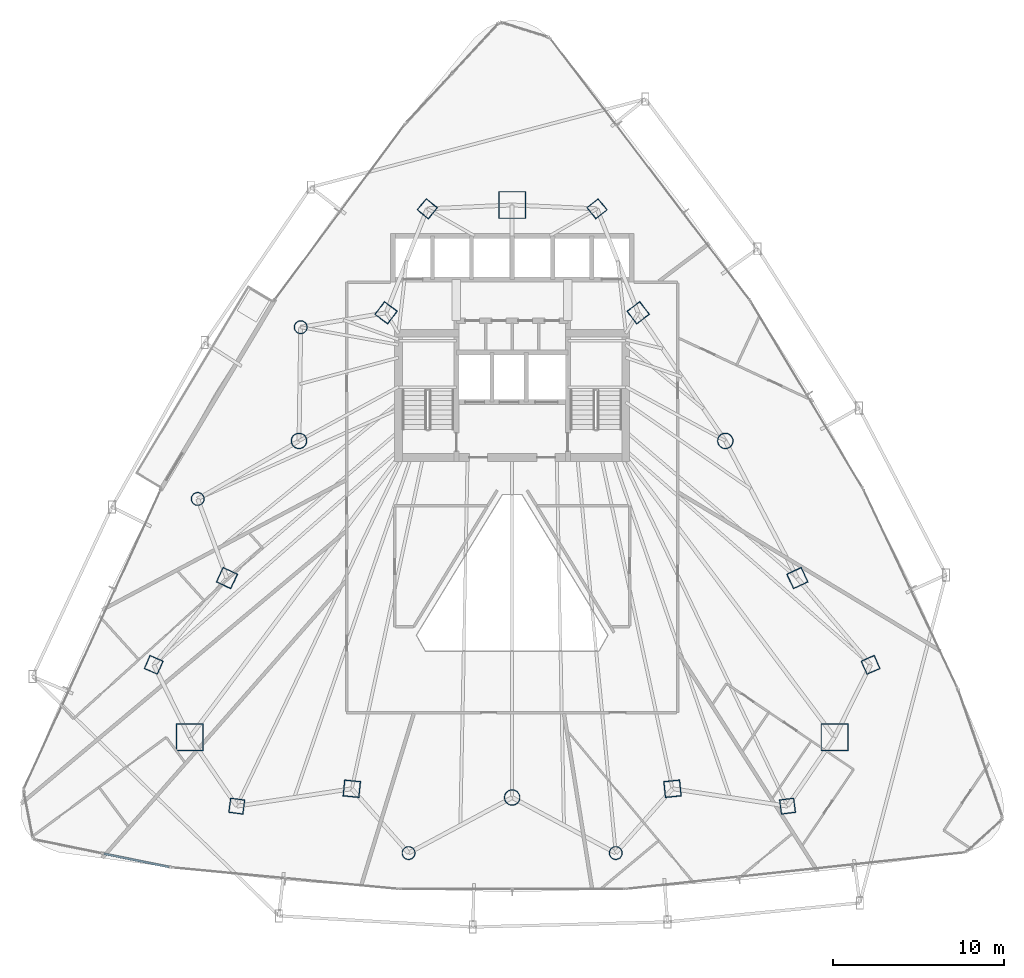
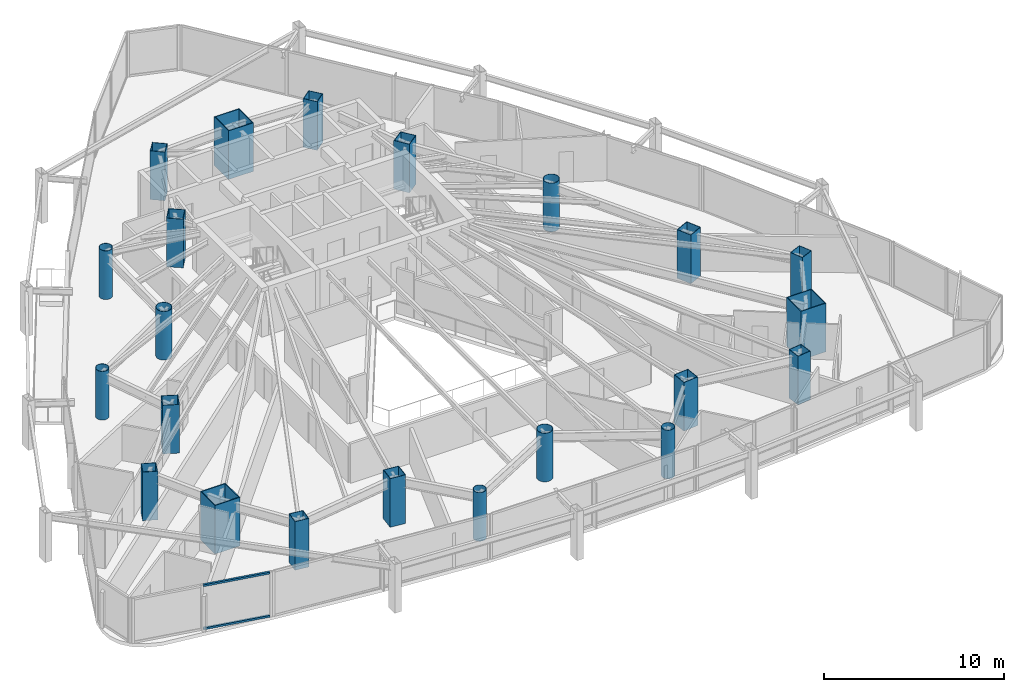
# One storey, part 1 of 38: 22 columns, 2 members, 1 element without a shape of its own.
"""IFC4 building model written with IfcOpenShell, lengths in metres."""

from ifc_helpers import new_model, si_unit, direction, frame, origin, origin_2d, place, context, subcontext, project, spatial, hollow_rectangle, hollow_circle, extrude, material, layer, layer_set, material_profile, profile_set, type_object, element, aggregate, save


model = new_model("IFC4")

# Units and contexts
model_context = context("Model", 3, precision=1e-05, world=origin(), true_north=direction((0.0, 1.0)))
body_context = subcontext(model_context, "Body", "Model", "MODEL_VIEW")
ifc_project = project(units=[si_unit("LENGTHUNIT", "METRE"), si_unit("AREAUNIT", "SQUARE_METRE"), si_unit("VOLUMEUNIT", "CUBIC_METRE"), si_unit("PLANEANGLEUNIT", "RADIAN"), si_unit("MASSUNIT", "GRAM", prefix="KILO")], contexts=[model_context])

# Site, building, storey
site_placement = place(None, origin())
site = spatial("IfcSite", under=ifc_project, at=site_placement, CompositionType="ELEMENT")
building_placement = place(site_placement, origin())
building = spatial("IfcBuilding", under=site, at=building_placement, Name="Orvanel Arch Residences", CompositionType="ELEMENT")
storey_placement = place(building_placement, frame((0.0, 0.0, 43.39990234375)))
storey = spatial("IfcBuildingStorey", under=building, at=storey_placement, Name="L11", CompositionType="ELEMENT", Elevation=43.39990234375)

# Columns
ifc_material_1 = material(Name="Structural steel AS/NZS 1163 C450L0 (Grade 450)", Category="steel")
ifc_material_profile_1 = material_profile(ifc_material_1, hollow_circle(Radius=0.381103515625, WallThickness=0.02197265625, at=origin_2d()), Name="CHS762x22")
ifc_profile_set_1 = profile_set([ifc_material_profile_1], Name="Structural steel AS/NZS 1163 C450L0 (Grade 450)")
column_type_1 = type_object("IfcColumnType", Name="CC-762", PredefinedType="COLUMN", material=ifc_profile_set_1)
for number, where, z_axis, x_axis, name in (
    (1, (20.669921875, 34.27099609375, 0.0), (0.0, 0.0, 1.0), (1.0, 0.0, 0.0), "L11 Low-Rise Buttress Tube Column 01"),
    (2, (14.662109375, 24.256103515625, 0.0), (0.0, 0.0, 1.0), (1.0, 0.0, 0.0), "L11 Low-Rise Buttress Tube Column 02"),
    (3, (26.9580078125, 3.60498046875, 0.0), (0.0, 0.0, 1.0), (1.0, 0.0, 0.0), "L11 Low-Rise Buttress Tube Column 03"),
    (4, (39.0419921875, 3.60498046875, 0.0), (0.0, 0.0, 1.0), (1.0, 0.0, 0.0), "L11 Low-Rise Buttress Tube Column 04"),
):
    element("IfcColumn", number, at=place(storey_placement, frame(where, z_axis=z_axis, x_axis=x_axis)), inside=storey, type_object=column_type_1, Name=name, PredefinedType="COLUMN", context=body_context, shape_type="SweptSolid", body=[
        extrude(hollow_circle(Radius=0.381103515625, WallThickness=0.02197265625, at=origin_2d()), origin(), (0.0, 0.0, 1.0), 3.300048828125),
    ])
ifc_material_profile_2 = material_profile(ifc_material_1, hollow_circle(Radius=0.45703125, WallThickness=0.02490234375, at=origin_2d()), Name="CHS914x25")
ifc_profile_set_2 = profile_set([ifc_material_profile_2], Name="Structural steel AS/NZS 1163 C450L0 (Grade 450)")
column_type_2 = type_object("IfcColumnType", Name="CC-914", PredefinedType="COLUMN", material=ifc_profile_set_2)
for number, where, z_axis, x_axis, name in (
    (5, (20.569091796875, 27.64111328125, 0.0), (0.0, 0.0, 1.0), (1.0, 0.0, 0.0), "L11 High-Rise Tube Column 02"),
    (6, (33.0, 6.843994140625, 0.0), (0.0, 0.0, 1.0), (1.0, 0.0, 0.0), "L11 High-Rise Tube Column 05"),
    (7, (45.430908203125, 27.64111328125, 0.0), (0.0, 0.0, 1.0), (1.0, 0.0, 0.0), "L11 High-Rise Tube Column 08"),
):
    element("IfcColumn", number, at=place(storey_placement, frame(where, z_axis=z_axis, x_axis=x_axis)), inside=storey, type_object=column_type_2, Name=name, PredefinedType="COLUMN", context=body_context, shape_type="SweptSolid", body=[
        extrude(hollow_circle(Radius=0.45703125, WallThickness=0.02490234375, at=origin_2d()), origin(), (0.0, 0.0, 1.0), 3.300048828125),
    ])
ifc_material_2 = material(Name="Structural steel AS/NZS 3678 Grade 450", Category="steel")
ifc_material_profile_3 = material_profile(ifc_material_2, hollow_rectangle(XDim=1.60009765625, YDim=1.60009765625, WallThickness=0.050048828125, at=origin_2d()), Name="BOX1600x1600x50")
ifc_profile_set_3 = profile_set([ifc_material_profile_3], Name="Structural steel AS/NZS 3678 Grade 450")
column_type_3 = type_object("IfcColumnType", Name="MC-1600", PredefinedType="COLUMN", material=ifc_profile_set_3)
for number, where, z_axis, x_axis, name in (
    (8, (33.0, 41.39794921875, 0.0), (0.0, 0.0, 1.0), (1.0, 0.0, 0.0), "L11 Corner Mega-Column 1"),
    (9, (14.198974609375, 10.35107421875, 0.0), (0.0, 0.0, 1.0), (1.0, 0.0, 0.0), "L11 Corner Mega-Column 2"),
    (10, (51.801025390625, 10.35107421875, 0.0), (0.0, 0.0, 1.0), (1.0, 0.0, 0.0), "L11 Corner Mega-Column 3"),
):
    element("IfcColumn", number, at=place(storey_placement, frame(where, z_axis=z_axis, x_axis=x_axis)), inside=storey, type_object=column_type_3, Name=name, PredefinedType="COLUMN", context=body_context, shape_type="SweptSolid", body=[
        extrude(hollow_rectangle(XDim=1.60009765625, YDim=1.60009765625, WallThickness=0.050048828125, at=origin_2d()), origin(), (0.0, 0.0, 1.0), 3.300048828125),
    ])
ifc_material_3 = material(Name="Structural steel AS/NZS 3678 Grade 350", Category="steel")
ifc_material_profile_4 = material_profile(ifc_material_3, hollow_rectangle(XDim=0.85009765625, YDim=0.85009765625, WallThickness=0.028076171875, at=origin_2d()), Name="BOX850x850x28")
ifc_profile_set_4 = profile_set([ifc_material_profile_4], Name="Structural steel AS/NZS 3678 Grade 350")
column_type_4 = type_object("IfcColumnType", Name="TC-850", PredefinedType="COLUMN", material=ifc_profile_set_4)
for number, where, z_axis, x_axis, name in (
    (11, (28.050048828125, 41.177978515625, 0.0), (0.0, 0.0, 1.0), (0.623879596709, 0.781520472419, 0.0), "L11 Mid-Rise Buttress Tube Column 01"),
    (12, (12.094970703125, 14.580078125, 0.0), (0.0, 0.0, 1.0), (0.397147890635, 0.917754625684, 0.0), "L11 Mid-Rise Buttress Tube Column 02"),
    (13, (16.94091796875, 6.339111328125, 0.0), (0.0, 0.0, 1.0), (-0.99189444259, 0.127064608601, 0.0), "L11 Mid-Rise Buttress Tube Column 03"),
    (14, (49.05908203125, 6.339111328125, 0.0), (0.0, 0.0, 1.0), (0.99189444259, 0.127064608601, 0.0), "L11 Mid-Rise Buttress Tube Column 04"),
    (15, (53.905029296875, 14.580078125, 0.0), (0.0, 0.0, 1.0), (-0.397147890635, 0.917754625684, 0.0), "L11 Mid-Rise Buttress Tube Column 05"),
    (16, (37.949951171875, 41.177978515625, 0.0), (0.0, 0.0, 1.0), (-0.623879596709, 0.781520472419, 0.0), "L11 Mid-Rise Buttress Tube Column 06"),
):
    element("IfcColumn", number, at=place(storey_placement, frame(where, z_axis=z_axis, x_axis=x_axis)), inside=storey, type_object=column_type_4, Name=name, PredefinedType="COLUMN", context=body_context, shape_type="SweptSolid", body=[
        extrude(hollow_rectangle(XDim=0.85009765625, YDim=0.85009765625, WallThickness=0.028076171875, at=origin_2d()), origin(), (0.0, 0.0, 1.0), 3.300048828125),
    ])
ifc_material_profile_5 = material_profile(ifc_material_3, hollow_rectangle(XDim=0.949951171875, YDim=0.949951171875, WallThickness=0.031982421875, at=origin_2d()), Name="BOX950x950x32")
ifc_profile_set_5 = profile_set([ifc_material_profile_5], Name="Structural steel AS/NZS 3678 Grade 350")
column_type_5 = type_object("IfcColumnType", Name="TC-950", PredefinedType="COLUMN", material=ifc_profile_set_5)
for number, where, z_axis, x_axis, name in (
    (17, (25.64794921875, 35.113037109375, 0.0), (0.0, 0.0, 1.0), (0.600420225326, 0.799684658487, 0.0), "L11 High-Rise Tube Column 01"),
    (18, (16.366943359375, 19.64208984375, 0.0), (0.0, 0.0, 1.0), (0.422618261741, 0.906307787037, 0.0), "L11 High-Rise Tube Column 03"),
    (19, (23.64892578125, 7.35498046875, 0.0), (0.0, 0.0, 1.0), (-0.994880708829, 0.101056297183, 0.0), "L11 High-Rise Tube Column 04"),
    (20, (42.35107421875, 7.35498046875, 0.0), (0.0, 0.0, 1.0), (0.994880708829, 0.101056297183, 0.0), "L11 High-Rise Tube Column 06"),
    (21, (49.633056640625, 19.64208984375, 0.0), (0.0, 0.0, 1.0), (-0.422618261741, 0.906307787037, 0.0), "L11 High-Rise Tube Column 07"),
    (22, (40.35205078125, 35.113037109375, 0.0), (0.0, 0.0, 1.0), (-0.600420225326, 0.799684658487, 0.0), "L11 High-Rise Tube Column 09"),
):
    element("IfcColumn", number, at=place(storey_placement, frame(where, z_axis=z_axis, x_axis=x_axis)), inside=storey, type_object=column_type_5, Name=name, PredefinedType="COLUMN", context=body_context, shape_type="SweptSolid", body=[
        extrude(hollow_rectangle(XDim=0.949951171875, YDim=0.949951171875, WallThickness=0.031982421875, at=origin_2d()), origin(), (0.0, 0.0, 1.0), 3.300048828125),
    ])

# Curtain wall, members
ifc_material_4 = material(Name="Bronze-anodised aluminium AA6063-T6", Category="aluminium")
ifc_layer = layer(ifc_material_4, 0.18994140625)
ifc_layer_set = layer_set([ifc_layer], Name="Bronze-anodised aluminium AA6063-T6")
curtain_wall_type = type_object("IfcCurtainWallType", Name="CW5-CRN-SYS", PredefinedType="NOTDEFINED", material=ifc_layer_set)
curtain_wall_placement = place(storey_placement, origin())
curtain_wall = element("IfcCurtainWall", 23, at=curtain_wall_placement, inside=storey, type_object=curtain_wall_type, Name="L11 CW5-CRN-SYS Unitised Curtain Wall", PredefinedType="NOTDEFINED")
ifc_material_profile_6 = material_profile(ifc_material_4, hollow_rectangle(XDim=0.1298828125, YDim=0.1298828125, WallThickness=0.00439453125, at=origin_2d()), Name="ALU130x130x4.5")
ifc_profile_set_6 = profile_set([ifc_material_profile_6], Name="Bronze-anodised aluminium AA6063-T6")
member_type = type_object("IfcMemberType", Name="TRN-130x130", PredefinedType="USERDEFINED", material=ifc_profile_set_6)
member_1_placement = place(storey_placement, frame((9.18994140625, 3.568115234375, 0.065185546875), z_axis=(0.979964722217, -0.199171140504, 0.0), x_axis=(0.199171140504, 0.979964722217, 0.0)))
member_1 = element("IfcMember", 24, at=member_1_placement, type_object=member_type, Name="CW-S5 transom 2.1", ObjectType="TRANSOM", PredefinedType="USERDEFINED", context=body_context, shape_type="SweptSolid", body=[
    extrude(hollow_rectangle(XDim=0.1298828125, YDim=0.1298828125, WallThickness=0.00439453125, at=origin_2d()), origin(), (0.0, 0.0, 1.0), 3.886962890625),
])
member_2_placement = place(storey_placement, frame((9.18994140625, 3.568115234375, 2.9951171875), z_axis=(0.979964722217, -0.199171140504, 0.0), x_axis=(0.199171140504, 0.979964722217, 0.0)))
member_2 = element("IfcMember", 25, at=member_2_placement, type_object=member_type, Name="CW-S5 transom 2.2", ObjectType="TRANSOM", PredefinedType="USERDEFINED", context=body_context, shape_type="SweptSolid", body=[
    extrude(hollow_rectangle(XDim=0.1298828125, YDim=0.1298828125, WallThickness=0.00439453125, at=origin_2d()), origin(), (0.0, 0.0, 1.0), 3.886962890625),
])
aggregate(curtain_wall, [member_1, member_2])

save(model, "model.ifc")
